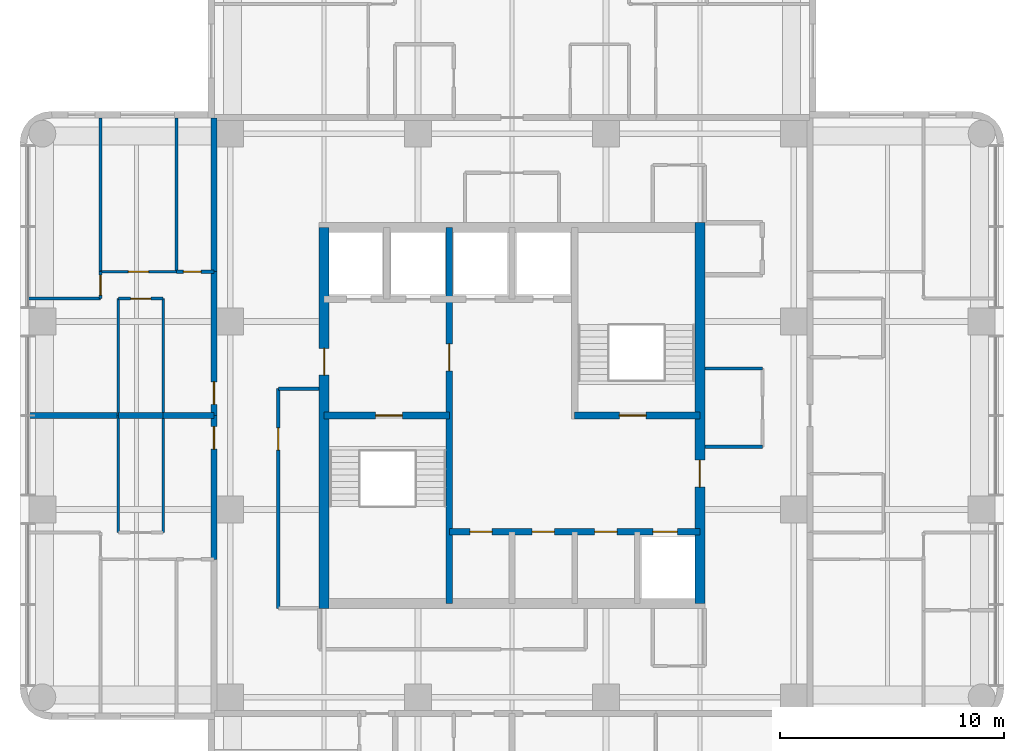
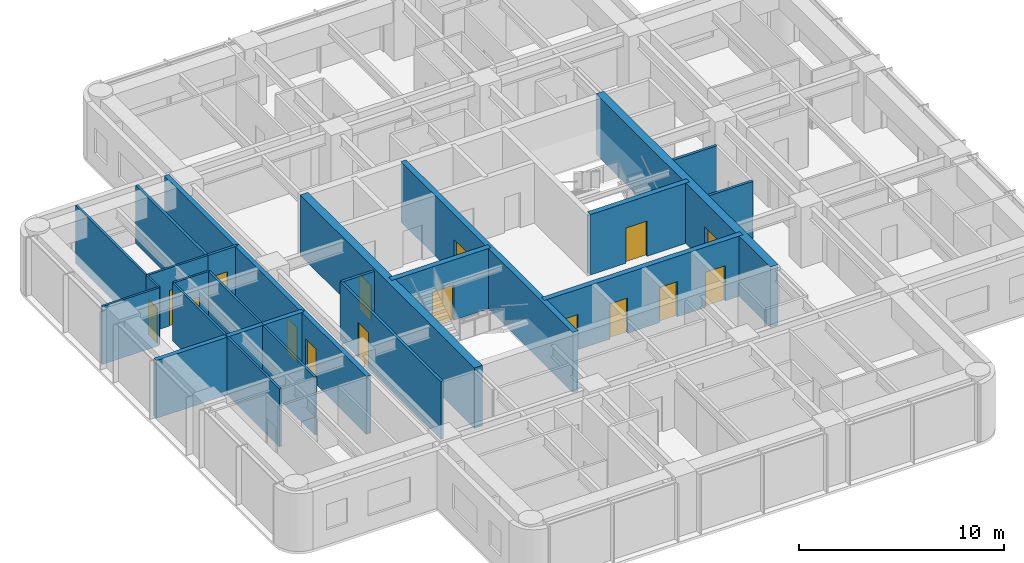
# One storey, part 5 of 9: 27 walls, 16 doors, 16 openings.
"""IFC4 building model written with IfcOpenShell, lengths in metres."""

from ifc_helpers import new_model, si_unit, direction, frame, frame_2d, origin, place, context, subcontext, project, spatial, rectangle, extrude, material, layer, layer_set, type_object, element, fill, save


model = new_model("IFC4")

# Units and contexts
model_context = context("Model", 3, precision=1e-05, world=origin(), true_north=direction((0.0, 1.0)))
body_context = subcontext(model_context, "Body", "Model", "MODEL_VIEW")
ifc_project = project(units=[si_unit("LENGTHUNIT", "METRE"), si_unit("AREAUNIT", "SQUARE_METRE"), si_unit("VOLUMEUNIT", "CUBIC_METRE"), si_unit("PLANEANGLEUNIT", "RADIAN"), si_unit("MASSUNIT", "GRAM", prefix="KILO")], contexts=[model_context])

# Site, building, storey
site_placement = place(None, origin())
site = spatial("IfcSite", under=ifc_project, at=site_placement, CompositionType="ELEMENT")
building_placement = place(site_placement, origin())
building = spatial("IfcBuilding", under=site, at=building_placement, Name="Torre Alcanfor", CompositionType="ELEMENT")
storey_placement = place(building_placement, frame((0.0, 0.0, 268.5)))
storey = spatial("IfcBuildingStorey", under=building, at=storey_placement, Name="L70", CompositionType="ELEMENT", Elevation=268.5)

# Wall, opening, door
ifc_material_1 = material(Name="Concrete block masonry, hollow blocks NMX-C-404 9 MPa", Category="masonry")
ifc_layer_1 = layer(ifc_material_1, 0.25)
ifc_layer_set_1 = layer_set([ifc_layer_1], Name="Apartment entrance wall 250 EI 60")
wall_type_1 = type_object("IfcWallType", Name="Apartment entrance wall 250 EI 60", PredefinedType="PARTITIONING", material=ifc_layer_set_1)
wall_1_placement = place(storey_placement, frame((16.074951171875, 22.970947265625, 0.0), z_axis=(0.0, 0.0, 1.0), x_axis=(0.0, 1.0, 0.0)))
wall_1 = element("IfcWall", 1, at=wall_1_placement, inside=storey, type_object=wall_type_1, Name="Partition L70-CORR / L70-W1-LIVING", PredefinedType="PARTITIONING", context=body_context, shape_type="SweptSolid", body=[
    extrude(rectangle(XDim=6.428955078125, YDim=0.25, at=frame_2d((3.21435546875, 0.0))), origin(), (0.0, 0.0, 1.0), 3.449951171875),
])
opening_1_placement = place(wall_1_placement, frame((4.928955078125, 0.0, 0.0)))
opening_1 = element("IfcOpeningElement", 2, at=opening_1_placement, cuts=wall_1, Name="Opening D-A1", PredefinedType="OPENING", context=body_context, shape_type="SweptSolid", body=[
    extrude(rectangle(XDim=1.0, YDim=2.10009765625, at=frame_2d((0.5, 1.050048828125))), frame((0.0, 0.135009765625, 0.0), z_axis=(0.0, -1.0, 0.0), x_axis=(1.0, 0.0, 0.0)), (0.0, 0.0, 1.0), 0.27001953125),
])
ifc_material_2 = material(Name="Galvanised steel sheet ASTM A653", Category="steel")
door_type_1 = type_object("IfcDoorType", Name="Apartment entrance door FD60 1000x2100", OperationType="SINGLE_SWING_LEFT", PredefinedType="DOOR", material=ifc_material_2)
door_1_placement = place(opening_1_placement, origin())
door_1 = element("IfcDoor", 3, at=door_1_placement, inside=storey, type_object=door_type_1, Name="Apartment entrance L70-W1", OperationType="SINGLE_SWING_RIGHT", OverallHeight=2.10009765625, OverallWidth=1.0, PredefinedType="DOOR", context=body_context, shape_type="SweptSolid", body=[
    extrude(rectangle(XDim=1.0, YDim=2.10009765625, at=frame_2d((0.5, 1.050048828125))), frame((0.0, 0.02490234375, 0.0), z_axis=(0.0, -1.0, 0.0), x_axis=(1.0, 0.0, 0.0)), (0.0, 0.0, 1.0), 0.050048828125),
])
fill(opening_1, door_1)

wall_2_placement = place(storey_placement, frame((16.074951171875, 29.39990234375, 0.0), z_axis=(0.0, 0.0, 1.0), x_axis=(0.0, 1.0, 0.0)))
wall_2 = element("IfcWall", 4, at=wall_2_placement, inside=storey, type_object=wall_type_1, Name="Partition L70-CORR / L70-W2-LIVING", PredefinedType="PARTITIONING", context=body_context, shape_type="SweptSolid", body=[
    extrude(rectangle(XDim=6.42919921875, YDim=0.25, at=frame_2d((3.214599609375, 0.0))), origin(), (0.0, 0.0, 1.0), 3.449951171875),
])
opening_2_placement = place(wall_2_placement, frame((0.5, 0.0, 0.0)))
opening_2 = element("IfcOpeningElement", 5, at=opening_2_placement, cuts=wall_2, Name="Opening D-A1", PredefinedType="OPENING", context=body_context, shape_type="SweptSolid", body=[
    extrude(rectangle(XDim=1.0, YDim=2.10009765625, at=frame_2d((0.5, 1.050048828125))), frame((0.0, 0.135009765625, 0.0), z_axis=(0.0, -1.0, 0.0), x_axis=(1.0, 0.0, 0.0)), (0.0, 0.0, 1.0), 0.27001953125),
])
door_2_placement = place(opening_2_placement, origin())
door_2 = element("IfcDoor", 6, at=door_2_placement, inside=storey, type_object=door_type_1, Name="Apartment entrance L70-W2", OperationType="SINGLE_SWING_LEFT", OverallHeight=2.10009765625, OverallWidth=1.0, PredefinedType="DOOR", context=body_context, shape_type="SweptSolid", body=[
    extrude(rectangle(XDim=1.0, YDim=2.10009765625, at=frame_2d((0.5, 1.050048828125))), frame((0.0, 0.02490234375, 0.0), z_axis=(0.0, -1.0, 0.0), x_axis=(1.0, 0.0, 0.0)), (0.0, 0.0, 1.0), 0.050048828125),
])
fill(opening_2, door_2)

# Walls
wall_3_placement = place(storey_placement, frame((16.074951171875, 35.8291015625, 0.0), z_axis=(0.0, 0.0, 1.0), x_axis=(0.0, 1.0, 0.0)))
element("IfcWall", 7, at=wall_3_placement, inside=storey, type_object=wall_type_1, Name="Partition L70-CORR / L70-W2-BATH", PredefinedType="PARTITIONING", context=body_context, shape_type="SweptSolid", body=[
    extrude(rectangle(XDim=6.870849609375, YDim=0.25, at=frame_2d((3.435546875, 0.0))), origin(), (0.0, 0.0, 1.0), 3.449951171875),
])
ifc_material_3 = material(Name="Gypsum board on steel studs", Category="steel")
ifc_layer_2 = layer(ifc_material_3, 0.1201171875)
ifc_layer_set_2 = layer_set([ifc_layer_2], Name="Apartment partition 120")
wall_type_2 = type_object("IfcWallType", Name="Apartment partition 120", PredefinedType="PARTITIONING", material=ifc_layer_set_2)
for number, where, z_axis, x_axis, name in (
    (8, (11.800048828125, 29.39990234375, 0.0), (0.0, 0.0, 1.0), (0.0, -1.0, 0.0), "Partition L70-W1-KITCHEN / L70-W1-LIVING"),
    (9, (13.800048828125, 24.1708984375, 0.0), (0.0, 0.0, 1.0), (0.0, 1.0, 0.0), "Partition L70-W1-KITCHEN / L70-W1-LIVING"),
    (10, (11.800048828125, 29.39990234375, 0.0), (0.0, 0.0, 1.0), (0.0, 1.0, 0.0), "Partition L70-W2-KITCHEN / L70-W2-LIVING"),
):
    element("IfcWall", number, at=place(storey_placement, frame(where, z_axis=z_axis, x_axis=x_axis)), inside=storey, type_object=wall_type_2, Name=name, PredefinedType="PARTITIONING", context=body_context, shape_type="SweptSolid", body=[
        extrude(rectangle(XDim=5.22900390625, YDim=0.1201171875, at=frame_2d((2.614501953125, 0.0))), origin(), (0.0, 0.0, 1.0), 3.449951171875),
    ])

# Wall, opening, door
wall_4_placement = place(storey_placement, frame((11.800048828125, 34.62890625, 0.0), z_axis=(0.0, 0.0, 1.0), x_axis=(1.0, 0.0, 0.0)))
wall_4 = element("IfcWall", 11, at=wall_4_placement, inside=storey, type_object=wall_type_2, Name="Partition L70-W2-KITCHEN / L70-W2-LIVING", PredefinedType="PARTITIONING", context=body_context, shape_type="SweptSolid", body=[
    extrude(rectangle(XDim=2.0, YDim=0.1201171875, at=frame_2d((1.0, 0.0))), origin(), (0.0, 0.0, 1.0), 3.449951171875),
])
opening_3_placement = place(wall_4_placement, frame((0.550048828125, 0.0, 0.0)))
opening_3 = element("IfcOpeningElement", 12, at=opening_3_placement, cuts=wall_4, Name="Opening D-R1", PredefinedType="OPENING", context=body_context, shape_type="SweptSolid", body=[
    extrude(rectangle(XDim=0.89990234375, YDim=2.10009765625, at=frame_2d((0.449951171875, 1.050048828125))), frame((0.0, 0.070068359375, 0.0), z_axis=(0.0, -1.0, 0.0), x_axis=(1.0, 0.0, 0.0)), (0.0, 0.0, 1.0), 0.14013671875),
])
ifc_material_4 = material(Name="Timber", Category="wood")
door_type_2 = type_object("IfcDoorType", Name="Internal door 900x2100", OperationType="SINGLE_SWING_LEFT", PredefinedType="DOOR", material=ifc_material_4)
door_3_placement = place(opening_3_placement, frame((0.89990234375, 0.0, 0.0), z_axis=(0.0, 0.0, 1.0), x_axis=(-1.0, 0.0, 0.0)))
door_3 = element("IfcDoor", 13, at=door_3_placement, inside=storey, type_object=door_type_2, Name="Door L70-W2 kitchen", OperationType="SINGLE_SWING_RIGHT", OverallHeight=2.10009765625, OverallWidth=0.89990234375, PredefinedType="DOOR", context=body_context, shape_type="SweptSolid", body=[
    extrude(rectangle(XDim=0.89990234375, YDim=2.10009765625, at=frame_2d((0.449951171875, 1.050048828125))), frame((0.0, 0.025146484375, 0.0), z_axis=(0.0, -1.0, 0.0), x_axis=(1.0, 0.0, 0.0)), (0.0, 0.0, 1.0), 0.050048828125),
])
fill(opening_3, door_3)

# Wall
wall_5_placement = place(storey_placement, frame((13.800048828125, 34.62890625, 0.0), z_axis=(0.0, 0.0, 1.0), x_axis=(0.0, -1.0, 0.0)))
element("IfcWall", 14, at=wall_5_placement, inside=storey, type_object=wall_type_2, Name="Partition L70-W2-KITCHEN / L70-W2-LIVING", PredefinedType="PARTITIONING", context=body_context, shape_type="SweptSolid", body=[
    extrude(rectangle(XDim=5.22900390625, YDim=0.1201171875, at=frame_2d((2.614501953125, 0.0))), origin(), (0.0, 0.0, 1.0), 3.449951171875),
])

# Wall, opening, door
wall_6_placement = place(storey_placement, frame((11.0, 35.8291015625, 0.0), z_axis=(0.0, 0.0, 1.0), x_axis=(1.0, 0.0, 0.0)))
wall_6 = element("IfcWall", 15, at=wall_6_placement, inside=storey, type_object=wall_type_2, Name="Partition L70-W2-LIVING / L70-W2-STUDY", PredefinedType="PARTITIONING", context=body_context, shape_type="SweptSolid", body=[
    extrude(rectangle(XDim=3.39990234375, YDim=0.1201171875, at=frame_2d((1.699951171875, 0.0))), origin(), (0.0, 0.0, 1.0), 3.449951171875),
])
opening_4_placement = place(wall_6_placement, frame((1.25, 0.0, 0.0)))
opening_4 = element("IfcOpeningElement", 16, at=opening_4_placement, cuts=wall_6, Name="Opening D-R1", PredefinedType="OPENING", context=body_context, shape_type="SweptSolid", body=[
    extrude(rectangle(XDim=0.89990234375, YDim=2.10009765625, at=frame_2d((0.449951171875, 1.050048828125))), frame((0.0, 0.070068359375, 0.0), z_axis=(0.0, -1.0, 0.0), x_axis=(1.0, 0.0, 0.0)), (0.0, 0.0, 1.0), 0.14013671875),
])
door_4_placement = place(opening_4_placement, origin())
door_4 = element("IfcDoor", 17, at=door_4_placement, inside=storey, type_object=door_type_2, Name="Door L70-W2 study", OperationType="SINGLE_SWING_LEFT", OverallHeight=2.10009765625, OverallWidth=0.89990234375, PredefinedType="DOOR", context=body_context, shape_type="SweptSolid", body=[
    extrude(rectangle(XDim=0.89990234375, YDim=2.10009765625, at=frame_2d((0.449951171875, 1.050048828125))), frame((0.0, 0.02490234375, 0.0), z_axis=(0.0, -1.0, 0.0), x_axis=(1.0, 0.0, 0.0)), (0.0, 0.0, 1.0), 0.050048828125),
])
fill(opening_4, door_4)

# Wall
wall_7_placement = place(storey_placement, frame((7.75, 34.62890625, 0.0), z_axis=(0.0, 0.0, 1.0), x_axis=(1.0, 0.0, 0.0)))
element("IfcWall", 18, at=wall_7_placement, inside=storey, type_object=wall_type_2, Name="Partition L70-W2-LIVING / L70-W2-MASTER", PredefinedType="PARTITIONING", context=body_context, shape_type="SweptSolid", body=[
    extrude(rectangle(XDim=3.25, YDim=0.1201171875, at=frame_2d((1.625, 0.0))), origin(), (0.0, 0.0, 1.0), 3.449951171875),
])

# Wall, opening, door
wall_8_placement = place(storey_placement, frame((11.0, 34.62890625, 0.0), z_axis=(0.0, 0.0, 1.0), x_axis=(0.0, 1.0, 0.0)))
wall_8 = element("IfcWall", 19, at=wall_8_placement, inside=storey, type_object=wall_type_2, Name="Partition L70-W2-LIVING / L70-W2-MASTER", PredefinedType="PARTITIONING", context=body_context, shape_type="SweptSolid", body=[
    extrude(rectangle(XDim=1.2001953125, YDim=0.1201171875, at=frame_2d((0.60009765625, 0.0))), origin(), (0.0, 0.0, 1.0), 3.449951171875),
])
opening_5_placement = place(wall_8_placement, frame((0.15087890625, 0.0, 0.0)))
opening_5 = element("IfcOpeningElement", 20, at=opening_5_placement, cuts=wall_8, Name="Opening D-R1", PredefinedType="OPENING", context=body_context, shape_type="SweptSolid", body=[
    extrude(rectangle(XDim=0.89990234375, YDim=2.10009765625, at=frame_2d((0.449951171875, 1.050048828125))), frame((0.0, 0.070068359375, 0.0), z_axis=(0.0, -1.0, 0.0), x_axis=(1.0, 0.0, 0.0)), (0.0, 0.0, 1.0), 0.14013671875),
])
door_5_placement = place(opening_5_placement, origin())
door_5 = element("IfcDoor", 21, at=door_5_placement, inside=storey, type_object=door_type_2, Name="Door L70-W2 master", OperationType="SINGLE_SWING_LEFT", OverallHeight=2.10009765625, OverallWidth=0.89990234375, PredefinedType="DOOR", context=body_context, shape_type="SweptSolid", body=[
    extrude(rectangle(XDim=0.89990234375, YDim=2.10009765625, at=frame_2d((0.449951171875, 1.050048828125))), frame((0.0, 0.02490234375, 0.0), z_axis=(0.0, -1.0, 0.0), x_axis=(1.0, 0.0, 0.0)), (0.0, 0.0, 1.0), 0.050048828125),
])
fill(opening_5, door_5)

# Wall
wall_9_placement = place(storey_placement, frame((11.0, 35.8291015625, 0.0), z_axis=(0.0, 0.0, 1.0), x_axis=(0.0, 1.0, 0.0)))
element("IfcWall", 22, at=wall_9_placement, inside=storey, type_object=wall_type_2, Name="Partition L70-W2-STUDY / L70-W2-MASTER", PredefinedType="PARTITIONING", context=body_context, shape_type="SweptSolid", body=[
    extrude(rectangle(XDim=6.870849609375, YDim=0.1201171875, at=frame_2d((3.435546875, 0.0))), origin(), (0.0, 0.0, 1.0), 3.449951171875),
])

# Wall, opening, door
ifc_material_5 = material(Name="Concrete f'c 70 MPa", Category="concrete")
ifc_layer_3 = layer(ifc_material_5, 0.300048828125)
ifc_layer_set_3 = layer_set([ifc_layer_3], Name="Core inner wall 300 f'c70")
wall_type_3 = type_object("IfcWallType", Name="Core inner wall 300 f'c70", PredefinedType="SHEAR", material=ifc_layer_set_3)
wall_10_placement = place(storey_placement, frame((26.60009765625, 21.0, 0.0), z_axis=(0.0, 0.0, 1.0), x_axis=(0.0, 1.0, 0.0)))
wall_10 = element("IfcWall", 23, at=wall_10_placement, inside=storey, type_object=wall_type_3, Name="Core wall X266 L70", PredefinedType="SHEAR", context=body_context, shape_type="SweptSolid", body=[
    extrude(rectangle(XDim=16.800048828125, YDim=0.300048828125, at=frame_2d((8.39990234375, 0.0))), origin(), (0.0, 0.0, 1.0), 3.60009765625),
])
opening_6_placement = place(wall_10_placement, frame((10.39990234375, 0.0, 0.0)))
opening_6 = element("IfcOpeningElement", 24, at=opening_6_placement, cuts=wall_10, Name="Opening D-L1", PredefinedType="OPENING", context=body_context, shape_type="SweptSolid", body=[
    extrude(rectangle(XDim=1.199951171875, YDim=2.10009765625, at=frame_2d((0.60009765625, 1.050048828125))), frame((0.0, 0.159912109375, 0.0), z_axis=(0.0, -1.0, 0.0), x_axis=(1.0, 0.0, 0.0)), (0.0, 0.0, 1.0), 0.320068359375),
])
ifc_material_6 = material(Name="Galvanised steel sheet ASTM A653", Category="steel")
door_type_3 = type_object("IfcDoorType", Name="Lobby door FD120 1200x2100", OperationType="SINGLE_SWING_LEFT", PredefinedType="DOOR", material=ifc_material_6)
door_6_placement = place(opening_6_placement, origin())
door_6 = element("IfcDoor", 25, at=door_6_placement, inside=storey, type_object=door_type_3, Name="Lift lobby door L70", OperationType="SINGLE_SWING_LEFT", OverallHeight=2.10009765625, OverallWidth=1.199951171875, PredefinedType="DOOR", context=body_context, shape_type="SweptSolid", body=[
    extrude(rectangle(XDim=1.199951171875, YDim=2.10009765625, at=frame_2d((0.60009765625, 1.050048828125))), frame((0.0, 0.02490234375, 0.0), z_axis=(0.0, -1.0, 0.0), x_axis=(1.0, 0.0, 0.0)), (0.0, 0.0, 1.0), 0.050048828125),
])
fill(opening_6, door_6)

wall_11_placement = place(storey_placement, frame((21.0, 29.39990234375, 0.0), z_axis=(0.0, 0.0, 1.0), x_axis=(1.0, 0.0, 0.0)))
wall_11 = element("IfcWall", 26, at=wall_11_placement, inside=storey, type_object=wall_type_3, Name="Core wall Y294W L70", PredefinedType="SHEAR", context=body_context, shape_type="SweptSolid", body=[
    extrude(rectangle(XDim=5.60009765625, YDim=0.300048828125, at=frame_2d((2.800048828125, 0.0))), origin(), (0.0, 0.0, 1.0), 3.60009765625),
])
opening_7_placement = place(wall_11_placement, frame((2.300048828125, 0.0, 0.0)))
opening_7 = element("IfcOpeningElement", 27, at=opening_7_placement, cuts=wall_11, Name="Opening D-S2", PredefinedType="OPENING", context=body_context, shape_type="SweptSolid", body=[
    extrude(rectangle(XDim=1.199951171875, YDim=2.10009765625, at=frame_2d((0.60009765625, 1.050048828125))), frame((0.0, 0.159912109375, 0.0), z_axis=(0.0, -1.0, 0.0), x_axis=(1.0, 0.0, 0.0)), (0.0, 0.0, 1.0), 0.320068359375),
])
ifc_material_7 = material(Name="Galvanised steel sheet ASTM A653", Category="steel")
door_type_4 = type_object("IfcDoorType", Name="Stair enclosure door FD120 1200x2100", OperationType="SINGLE_SWING_LEFT", PredefinedType="DOOR", material=ifc_material_7)
door_7_placement = place(opening_7_placement, frame((1.199951171875, 0.0, 0.0), z_axis=(0.0, 0.0, 1.0), x_axis=(-1.0, 0.0, 0.0)))
door_7 = element("IfcDoor", 28, at=door_7_placement, inside=storey, type_object=door_type_4, Name="Stair S1 door L70", OperationType="SINGLE_SWING_LEFT", OverallHeight=2.10009765625, OverallWidth=1.199951171875, PredefinedType="DOOR", context=body_context, shape_type="SweptSolid", body=[
    extrude(rectangle(XDim=1.199951171875, YDim=2.10009765625, at=frame_2d((0.599853515625, 1.050048828125))), frame((0.0, 0.025146484375, 0.0), z_axis=(0.0, -1.0, 0.0), x_axis=(1.0, 0.0, 0.0)), (0.0, 0.0, 1.0), 0.050048828125),
])
fill(opening_7, door_7)

# Wall, openings, doors
wall_12_placement = place(storey_placement, frame((26.60009765625, 24.199951171875, 0.0), z_axis=(0.0, 0.0, 1.0), x_axis=(1.0, 0.0, 0.0)))
wall_12 = element("IfcWall", 29, at=wall_12_placement, inside=storey, type_object=wall_type_3, Name="Core wall Y242 L70", PredefinedType="SHEAR", context=body_context, shape_type="SweptSolid", body=[
    extrude(rectangle(XDim=11.199951171875, YDim=0.300048828125, at=frame_2d((5.60009765625, 0.0))), origin(), (0.0, 0.0, 1.0), 3.60009765625),
])
opening_8_placement = place(wall_12_placement, frame((0.91259765625, 0.0, 0.0)))
opening_8 = element("IfcOpeningElement", 30, at=opening_8_placement, cuts=wall_12, Name="Opening D-K1", PredefinedType="OPENING", context=body_context, shape_type="SweptSolid", body=[
    extrude(rectangle(XDim=1.0, YDim=2.10009765625, at=frame_2d((0.5, 1.050048828125))), frame((0.0, 0.159912109375, 0.0), z_axis=(0.0, -1.0, 0.0), x_axis=(1.0, 0.0, 0.0)), (0.0, 0.0, 1.0), 0.320068359375),
])
opening_9_placement = place(wall_12_placement, frame((3.699951171875, 0.0, 0.0)))
opening_9 = element("IfcOpeningElement", 31, at=opening_9_placement, cuts=wall_12, Name="Opening D-K1", PredefinedType="OPENING", context=body_context, shape_type="SweptSolid", body=[
    extrude(rectangle(XDim=1.0, YDim=2.10009765625, at=frame_2d((0.5, 1.050048828125))), frame((0.0, 0.159912109375, 0.0), z_axis=(0.0, -1.0, 0.0), x_axis=(1.0, 0.0, 0.0)), (0.0, 0.0, 1.0), 0.320068359375),
])
opening_10_placement = place(wall_12_placement, frame((6.5, 0.0, 0.0)))
opening_10 = element("IfcOpeningElement", 32, at=opening_10_placement, cuts=wall_12, Name="Opening D-K1", PredefinedType="OPENING", context=body_context, shape_type="SweptSolid", body=[
    extrude(rectangle(XDim=1.0, YDim=2.10009765625, at=frame_2d((0.5, 1.050048828125))), frame((0.0, 0.159912109375, 0.0), z_axis=(0.0, -1.0, 0.0), x_axis=(1.0, 0.0, 0.0)), (0.0, 0.0, 1.0), 0.320068359375),
])
opening_11_placement = place(wall_12_placement, frame((9.10009765625, 0.0, 0.0)))
opening_11 = element("IfcOpeningElement", 33, at=opening_11_placement, cuts=wall_12, Name="Opening LD1", PredefinedType="OPENING", context=body_context, shape_type="SweptSolid", body=[
    extrude(rectangle(XDim=1.10009765625, YDim=2.10009765625, at=frame_2d((0.550048828125, 1.050048828125))), frame((0.0, 0.159912109375, 0.0), z_axis=(0.0, -1.0, 0.0), x_axis=(1.0, 0.0, 0.0)), (0.0, 0.0, 1.0), 0.320068359375),
])
ifc_material_8 = material(Name="Galvanised steel sheet ASTM A653", Category="steel")
door_type_5 = type_object("IfcDoorType", Name="Core room door FD60 1000x2100", OperationType="SINGLE_SWING_LEFT", PredefinedType="DOOR", material=ifc_material_8)
door_8_placement = place(opening_8_placement, frame((1.0, 0.0, 0.0), z_axis=(0.0, 0.0, 1.0), x_axis=(-1.0, 0.0, 0.0)))
door_8 = element("IfcDoor", 34, at=door_8_placement, inside=storey, type_object=door_type_5, Name="Linen store door L70", OperationType="SINGLE_SWING_RIGHT", OverallHeight=2.10009765625, OverallWidth=1.0, PredefinedType="DOOR", context=body_context, shape_type="SweptSolid", body=[
    extrude(rectangle(XDim=1.0, YDim=2.10009765625, at=frame_2d((0.5, 1.050048828125))), frame((0.0, 0.025146484375, 0.0), z_axis=(0.0, -1.0, 0.0), x_axis=(1.0, 0.0, 0.0)), (0.0, 0.0, 1.0), 0.050048828125),
])
fill(opening_8, door_8)
door_9_placement = place(opening_9_placement, frame((1.0, 0.0, 0.0), z_axis=(0.0, 0.0, 1.0), x_axis=(-1.0, 0.0, 0.0)))
door_9 = element("IfcDoor", 35, at=door_9_placement, inside=storey, type_object=door_type_5, Name="IT and comms room door L70", OperationType="SINGLE_SWING_RIGHT", OverallHeight=2.10009765625, OverallWidth=1.0, PredefinedType="DOOR", context=body_context, shape_type="SweptSolid", body=[
    extrude(rectangle(XDim=1.0, YDim=2.10009765625, at=frame_2d((0.5, 1.050048828125))), frame((0.0, 0.025146484375, 0.0), z_axis=(0.0, -1.0, 0.0), x_axis=(1.0, 0.0, 0.0)), (0.0, 0.0, 1.0), 0.050048828125),
])
fill(opening_9, door_9)
door_10_placement = place(opening_10_placement, frame((1.0, 0.0, 0.0), z_axis=(0.0, 0.0, 1.0), x_axis=(-1.0, 0.0, 0.0)))
door_10 = element("IfcDoor", 36, at=door_10_placement, inside=storey, type_object=door_type_5, Name="Staff WC door L70", OperationType="SINGLE_SWING_RIGHT", OverallHeight=2.10009765625, OverallWidth=1.0, PredefinedType="DOOR", context=body_context, shape_type="SweptSolid", body=[
    extrude(rectangle(XDim=1.0, YDim=2.10009765625, at=frame_2d((0.5, 1.050048828125))), frame((0.0, 0.025146484375, 0.0), z_axis=(0.0, -1.0, 0.0), x_axis=(1.0, 0.0, 0.0)), (0.0, 0.0, 1.0), 0.050048828125),
])
fill(opening_10, door_10)
ifc_material_9 = material(Name="Galvanised steel sheet ASTM A653", Category="steel")
door_type_6 = type_object("IfcDoorType", Name="Lift landing door 1100x2100", OperationType="DOUBLE_DOOR_SLIDING", PredefinedType="DOOR", material=ifc_material_9)
door_11_placement = place(opening_11_placement, origin())
door_11 = element("IfcDoor", 37, at=door_11_placement, inside=storey, type_object=door_type_6, Name="Lift landing door PA4 L70", OperationType="DOUBLE_DOOR_SLIDING", OverallHeight=2.10009765625, OverallWidth=1.10009765625, PredefinedType="DOOR", context=body_context, shape_type="SweptSolid", body=[
    extrude(rectangle(XDim=1.10009765625, YDim=2.10009765625, at=frame_2d((0.550048828125, 1.050048828125))), frame((0.0, 0.02490234375, 0.0), z_axis=(0.0, -1.0, 0.0), x_axis=(1.0, 0.0, 0.0)), (0.0, 0.0, 1.0), 0.050048828125),
])
fill(opening_11, door_11)

# Wall, opening, door
wall_13_placement = place(storey_placement, frame((32.199951171875, 29.39990234375, 0.0), z_axis=(0.0, 0.0, 1.0), x_axis=(1.0, 0.0, 0.0)))
wall_13 = element("IfcWall", 38, at=wall_13_placement, inside=storey, type_object=wall_type_3, Name="Core wall Y294E L70", PredefinedType="SHEAR", context=body_context, shape_type="SweptSolid", body=[
    extrude(rectangle(XDim=5.60009765625, YDim=0.300048828125, at=frame_2d((2.800048828125, 0.0))), origin(), (0.0, 0.0, 1.0), 3.60009765625),
])
opening_12_placement = place(wall_13_placement, frame((2.0, 0.0, 0.0)))
opening_12 = element("IfcOpeningElement", 39, at=opening_12_placement, cuts=wall_13, Name="Opening D-S2", PredefinedType="OPENING", context=body_context, shape_type="SweptSolid", body=[
    extrude(rectangle(XDim=1.199951171875, YDim=2.10009765625, at=frame_2d((0.60009765625, 1.050048828125))), frame((0.0, 0.159912109375, 0.0), z_axis=(0.0, -1.0, 0.0), x_axis=(1.0, 0.0, 0.0)), (0.0, 0.0, 1.0), 0.320068359375),
])
door_12_placement = place(opening_12_placement, origin())
door_12 = element("IfcDoor", 40, at=door_12_placement, inside=storey, type_object=door_type_4, Name="Stair S2 door L70", OperationType="SINGLE_SWING_LEFT", OverallHeight=2.10009765625, OverallWidth=1.199951171875, PredefinedType="DOOR", context=body_context, shape_type="SweptSolid", body=[
    extrude(rectangle(XDim=1.199951171875, YDim=2.10009765625, at=frame_2d((0.60009765625, 1.050048828125))), frame((0.0, 0.02490234375, 0.0), z_axis=(0.0, -1.0, 0.0), x_axis=(1.0, 0.0, 0.0)), (0.0, 0.0, 1.0), 0.050048828125),
])
fill(opening_12, door_12)

ifc_material_10 = material(Name="Concrete f'c 70 MPa", Category="concrete")
ifc_layer_4 = layer(ifc_material_10, 0.449951171875)
ifc_layer_set_4 = layer_set([ifc_layer_4], Name="Core wall 450 f'c70")
wall_type_4 = type_object("IfcWallType", Name="Core wall 450 f'c70", PredefinedType="SHEAR", material=ifc_layer_set_4)
wall_14_placement = place(storey_placement, frame((37.800048828125, 21.0, 0.0), z_axis=(0.0, 0.0, 1.0), x_axis=(0.0, 1.0, 0.0)))
wall_14 = element("IfcWall", 41, at=wall_14_placement, inside=storey, type_object=wall_type_4, Name="Core wall OUT-E L70", PredefinedType="SHEAR", context=body_context, shape_type="SweptSolid", body=[
    extrude(rectangle(XDim=17.02490234375, YDim=0.449951171875, at=frame_2d((8.512451171875, 0.0))), origin(), (0.0, 0.0, 1.0), 3.60009765625),
])
opening_13_placement = place(wall_14_placement, frame((5.199951171875, 0.0, 0.0)))
opening_13 = element("IfcOpeningElement", 42, at=opening_13_placement, cuts=wall_14, Name="Opening D-L1", PredefinedType="OPENING", context=body_context, shape_type="SweptSolid", body=[
    extrude(rectangle(XDim=1.199951171875, YDim=2.10009765625, at=frame_2d((0.60009765625, 1.050048828125))), frame((0.0, 0.23486328125, 0.0), z_axis=(0.0, -1.0, 0.0), x_axis=(1.0, 0.0, 0.0)), (0.0, 0.0, 1.0), 0.469970703125),
])
door_13_placement = place(opening_13_placement, origin())
door_13 = element("IfcDoor", 43, at=door_13_placement, inside=storey, type_object=door_type_3, Name="Lift lobby entrance door L70", OperationType="SINGLE_SWING_LEFT", OverallHeight=2.10009765625, OverallWidth=1.199951171875, PredefinedType="DOOR", context=body_context, shape_type="SweptSolid", body=[
    extrude(rectangle(XDim=1.199951171875, YDim=2.10009765625, at=frame_2d((0.60009765625, 1.050048828125))), frame((0.0, 0.02490234375, 0.0), z_axis=(0.0, -1.0, 0.0), x_axis=(1.0, 0.0, 0.0)), (0.0, 0.0, 1.0), 0.050048828125),
])
fill(opening_13, door_13)

wall_15_placement = place(storey_placement, frame((21.0, 37.800048828125, 0.0), z_axis=(0.0, 0.0, 1.0), x_axis=(0.0, -1.0, 0.0)))
wall_15 = element("IfcWall", 44, at=wall_15_placement, inside=storey, type_object=wall_type_4, Name="Core wall OUT-W L70", PredefinedType="SHEAR", context=body_context, shape_type="SweptSolid", body=[
    extrude(rectangle(XDim=17.025146484375, YDim=0.449951171875, at=frame_2d((8.5126953125, 0.0))), origin(), (0.0, 0.0, 1.0), 3.60009765625),
])
opening_14_placement = place(wall_15_placement, frame((5.39990234375, 0.0, 0.0)))
opening_14 = element("IfcOpeningElement", 45, at=opening_14_placement, cuts=wall_15, Name="Opening D-L1", PredefinedType="OPENING", context=body_context, shape_type="SweptSolid", body=[
    extrude(rectangle(XDim=1.199951171875, YDim=2.10009765625, at=frame_2d((0.60009765625, 1.050048828125))), frame((0.0, 0.23486328125, 0.0), z_axis=(0.0, -1.0, 0.0), x_axis=(1.0, 0.0, 0.0)), (0.0, 0.0, 1.0), 0.469970703125),
])
door_14_placement = place(opening_14_placement, origin())
door_14 = element("IfcDoor", 46, at=door_14_placement, inside=storey, type_object=door_type_3, Name="Firefighting lobby door L70", OperationType="SINGLE_SWING_RIGHT", OverallHeight=2.10009765625, OverallWidth=1.199951171875, PredefinedType="DOOR", context=body_context, shape_type="SweptSolid", body=[
    extrude(rectangle(XDim=1.199951171875, YDim=2.10009765625, at=frame_2d((0.60009765625, 1.050048828125))), frame((0.0, 0.02490234375, 0.0), z_axis=(0.0, -1.0, 0.0), x_axis=(1.0, 0.0, 0.0)), (0.0, 0.0, 1.0), 0.050048828125),
])
fill(opening_14, door_14)

# Walls
ifc_material_11 = material(Name="Concrete block masonry, hollow blocks NMX-C-404 9 MPa", Category="masonry")
ifc_layer_5 = layer(ifc_material_11, 0.25)
ifc_layer_set_5 = layer_set([ifc_layer_5], Name="Party wall 250 EI 60")
wall_type_5 = type_object("IfcWallType", Name="Party wall 250 EI 60", PredefinedType="PARTITIONING", material=ifc_layer_set_5)
wall_16_placement = place(storey_placement, frame((13.800048828125, 29.39990234375, 0.0), z_axis=(0.0, 0.0, 1.0), x_axis=(-1.0, 0.0, 0.0)))
element("IfcWall", 47, at=wall_16_placement, inside=storey, type_object=wall_type_5, Name="Partition L70-W1-KITCHEN / L70-W2-KITCHEN", PredefinedType="PARTITIONING", context=body_context, shape_type="SweptSolid", body=[
    extrude(rectangle(XDim=2.0, YDim=0.25, at=frame_2d((1.0, 0.0))), origin(), (0.0, 0.0, 1.0), 3.449951171875),
])
wall_17_placement = place(storey_placement, frame((7.75, 29.39990234375, 0.0), z_axis=(0.0, 0.0, 1.0), x_axis=(1.0, 0.0, 0.0)))
element("IfcWall", 48, at=wall_17_placement, inside=storey, type_object=wall_type_5, Name="Partition L70-W1-LIVING / L70-W2-LIVING", PredefinedType="PARTITIONING", context=body_context, shape_type="SweptSolid", body=[
    extrude(rectangle(XDim=4.050048828125, YDim=0.25, at=frame_2d((2.02490234375, 0.0))), origin(), (0.0, 0.0, 1.0), 3.449951171875),
])
wall_18_placement = place(storey_placement, frame((13.800048828125, 29.39990234375, 0.0), z_axis=(0.0, 0.0, 1.0), x_axis=(1.0, 0.0, 0.0)))
element("IfcWall", 49, at=wall_18_placement, inside=storey, type_object=wall_type_5, Name="Partition L70-W1-LIVING / L70-W2-LIVING", PredefinedType="PARTITIONING", context=body_context, shape_type="SweptSolid", body=[
    extrude(rectangle(XDim=2.27490234375, YDim=0.25, at=frame_2d((1.137451171875, 0.0))), origin(), (0.0, 0.0, 1.0), 3.449951171875),
])
ifc_material_12 = material(Name="Concrete block masonry, hollow blocks NMX-C-404 9 MPa", Category="masonry")
ifc_layer_6 = layer(ifc_material_12, 0.14990234375)
ifc_layer_set_6 = layer_set([ifc_layer_6], Name="Residents' room partition 150")
wall_type_6 = type_object("IfcWallType", Name="Residents' room partition 150", PredefinedType="PARTITIONING", material=ifc_layer_set_6)
for number, where, z_axis, x_axis, name in (
    (50, (38.02490234375, 28.0, 0.0), (0.0, 0.0, 1.0), (1.0, 0.0, 0.0), "Partition L70-CORR / L70-G03"),
    (51, (40.60009765625, 31.5, 0.0), (0.0, 0.0, 1.0), (-1.0, 0.0, 0.0), "Partition L70-CORR / L70-G03"),
):
    element("IfcWall", number, at=place(storey_placement, frame(where, z_axis=z_axis, x_axis=x_axis)), inside=storey, type_object=wall_type_6, Name=name, PredefinedType="PARTITIONING", context=body_context, shape_type="SweptSolid", body=[
        extrude(rectangle(XDim=2.5751953125, YDim=0.14990234375, at=frame_2d((1.28759765625, 0.0))), origin(), (0.0, 0.0, 1.0), 3.449951171875),
    ])
wall_19_placement = place(storey_placement, frame((20.77490234375, 30.60009765625, 0.0), z_axis=(0.0, 0.0, 1.0), x_axis=(-1.0, 0.0, 0.0)))
element("IfcWall", 52, at=wall_19_placement, inside=storey, type_object=wall_type_6, Name="Partition L70-CORR / L70-G07", PredefinedType="PARTITIONING", context=body_context, shape_type="SweptSolid", body=[
    extrude(rectangle(XDim=1.824951171875, YDim=0.14990234375, at=frame_2d((0.91259765625, 0.0))), origin(), (0.0, 0.0, 1.0), 3.449951171875),
])

# Wall, opening, door
wall_20_placement = place(storey_placement, frame((18.949951171875, 30.60009765625, 0.0), z_axis=(0.0, 0.0, 1.0), x_axis=(0.0, -1.0, 0.0)))
wall_20 = element("IfcWall", 53, at=wall_20_placement, inside=storey, type_object=wall_type_6, Name="Partition L70-CORR / L70-G07", PredefinedType="PARTITIONING", context=body_context, shape_type="SweptSolid", body=[
    extrude(rectangle(XDim=9.8251953125, YDim=0.14990234375, at=frame_2d((4.91259765625, 0.0))), origin(), (0.0, 0.0, 1.0), 3.449951171875),
])
opening_15_placement = place(wall_20_placement, frame((1.75, 0.0, 0.0)))
opening_15 = element("IfcOpeningElement", 54, at=opening_15_placement, cuts=wall_20, Name="Opening D-M1", PredefinedType="OPENING", context=body_context, shape_type="SweptSolid", body=[
    extrude(rectangle(XDim=1.0, YDim=2.10009765625, at=frame_2d((0.5, 1.050048828125))), frame((0.0, 0.0849609375, 0.0), z_axis=(0.0, -1.0, 0.0), x_axis=(1.0, 0.0, 0.0)), (0.0, 0.0, 1.0), 0.169921875),
])
ifc_material_13 = material(Name="Timber", Category="wood")
door_type_7 = type_object("IfcDoorType", Name="Residents' room door 1000x2100", OperationType="SINGLE_SWING_LEFT", PredefinedType="DOOR", material=ifc_material_13)
door_15_placement = place(opening_15_placement, origin())
door_15 = element("IfcDoor", 55, at=door_15_placement, inside=storey, type_object=door_type_7, Name="Door L70-G07 residents' study", OperationType="SINGLE_SWING_LEFT", OverallHeight=2.10009765625, OverallWidth=1.0, PredefinedType="DOOR", context=body_context, shape_type="SweptSolid", body=[
    extrude(rectangle(XDim=1.0, YDim=2.10009765625, at=frame_2d((0.5, 1.050048828125))), frame((0.0, 0.02490234375, 0.0), z_axis=(0.0, -1.0, 0.0), x_axis=(1.0, 0.0, 0.0)), (0.0, 0.0, 1.0), 0.050048828125),
])
fill(opening_15, door_15)

ifc_material_14 = material(Name="Cement board on steel studs", Category="steel")
ifc_layer_7 = layer(ifc_material_14, 0.14990234375)
ifc_layer_set_7 = layer_set([ifc_layer_7], Name="Wet area partition 150")
wall_type_7 = type_object("IfcWallType", Name="Wet area partition 150", PredefinedType="PARTITIONING", material=ifc_layer_set_7)
wall_21_placement = place(storey_placement, frame((14.39990234375, 35.8291015625, 0.0), z_axis=(0.0, 0.0, 1.0), x_axis=(1.0, 0.0, 0.0)))
wall_21 = element("IfcWall", 56, at=wall_21_placement, inside=storey, type_object=wall_type_7, Name="Partition L70-W2-LIVING / L70-W2-BATH", PredefinedType="PARTITIONING", context=body_context, shape_type="SweptSolid", body=[
    extrude(rectangle(XDim=1.675048828125, YDim=0.14990234375, at=frame_2d((0.83740234375, 0.0))), origin(), (0.0, 0.0, 1.0), 3.449951171875),
])
opening_16_placement = place(wall_21_placement, frame((0.300048828125, 0.0, 0.0)))
opening_16 = element("IfcOpeningElement", 57, at=opening_16_placement, cuts=wall_21, Name="Opening D-R2", PredefinedType="OPENING", context=body_context, shape_type="SweptSolid", body=[
    extrude(rectangle(XDim=0.800048828125, YDim=2.10009765625, at=frame_2d((0.39990234375, 1.050048828125))), frame((0.0, 0.0849609375, 0.0), z_axis=(0.0, -1.0, 0.0), x_axis=(1.0, 0.0, 0.0)), (0.0, 0.0, 1.0), 0.169921875),
])
ifc_material_15 = material(Name="Timber", Category="wood")
door_type_8 = type_object("IfcDoorType", Name="Bathroom door 800x2100", OperationType="SINGLE_SWING_LEFT", PredefinedType="DOOR", material=ifc_material_15)
door_16_placement = place(opening_16_placement, origin())
door_16 = element("IfcDoor", 58, at=door_16_placement, inside=storey, type_object=door_type_8, Name="Door L70-W2 bath", OperationType="SINGLE_SWING_LEFT", OverallHeight=2.10009765625, OverallWidth=0.800048828125, PredefinedType="DOOR", context=body_context, shape_type="SweptSolid", body=[
    extrude(rectangle(XDim=0.800048828125, YDim=2.10009765625, at=frame_2d((0.39990234375, 1.050048828125))), frame((0.0, 0.02490234375, 0.0), z_axis=(0.0, -1.0, 0.0), x_axis=(1.0, 0.0, 0.0)), (0.0, 0.0, 1.0), 0.050048828125),
])
fill(opening_16, door_16)

# Wall
wall_22_placement = place(storey_placement, frame((14.39990234375, 35.8291015625, 0.0), z_axis=(0.0, 0.0, 1.0), x_axis=(0.0, 1.0, 0.0)))
element("IfcWall", 59, at=wall_22_placement, inside=storey, type_object=wall_type_7, Name="Partition L70-W2-BATH / L70-W2-STUDY", PredefinedType="PARTITIONING", context=body_context, shape_type="SweptSolid", body=[
    extrude(rectangle(XDim=6.870849609375, YDim=0.14990234375, at=frame_2d((3.435546875, 0.0))), origin(), (0.0, 0.0, 1.0), 3.449951171875),
])

save(model, "model.ifc")
